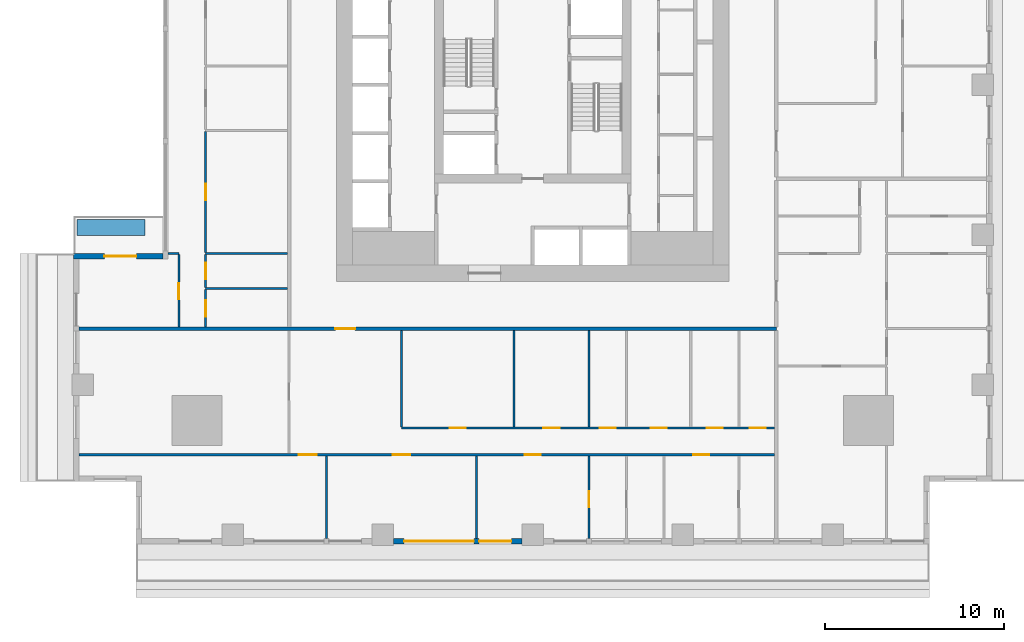
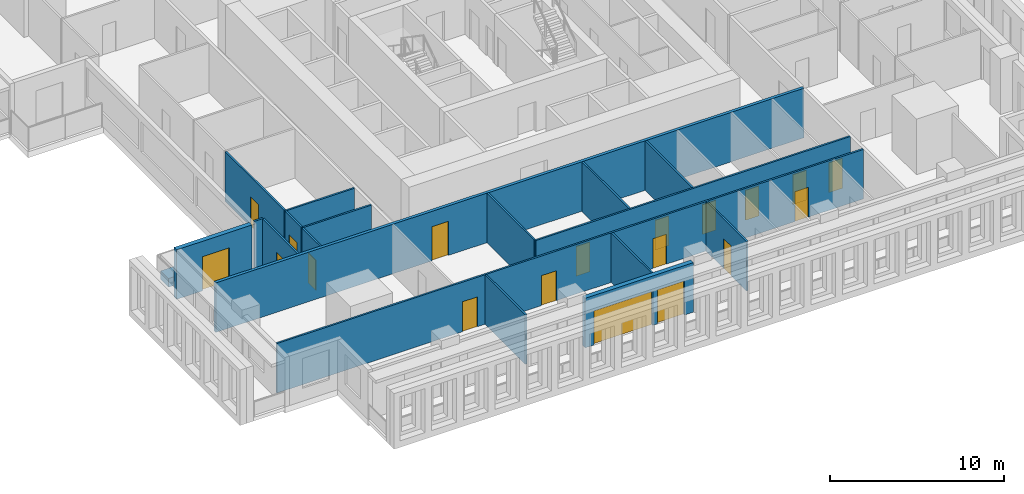
# One storey, part 2 of 14: 19 doors, 19 walls, 19 openings.
"""IFC4 building model written with IfcOpenShell, lengths in metres."""

from ifc_helpers import new_model, si_unit, direction, frame, frame_2d, origin, place, context, subcontext, project, spatial, rectangle, extrude, material, layer, layer_set, type_object, element, fill, save


model = new_model("IFC4")

# Units and contexts
model_context = context("Model", 3, precision=1e-05, world=origin(), true_north=direction((0.0, 1.0)))
body_context = subcontext(model_context, "Body", "Model", "MODEL_VIEW")
ifc_project = project(units=[si_unit("LENGTHUNIT", "METRE"), si_unit("AREAUNIT", "SQUARE_METRE"), si_unit("VOLUMEUNIT", "CUBIC_METRE"), si_unit("PLANEANGLEUNIT", "RADIAN"), si_unit("MASSUNIT", "GRAM", prefix="KILO")], contexts=[model_context])

# Site, building, storey
site_placement = place(None, origin())
site = spatial("IfcSite", under=ifc_project, at=site_placement, CompositionType="ELEMENT")
building_placement = place(site_placement, origin())
building = spatial("IfcBuilding", under=site, at=building_placement, Name="Khepri Terraces", CompositionType="ELEMENT")
storey_placement = place(building_placement, frame((0.0, 0.0, 102.60009765625)))
storey = spatial("IfcBuildingStorey", under=building, at=storey_placement, Name="L24", CompositionType="ELEMENT", Elevation=102.60009765625)

# Wall, opening, door
ifc_material_1 = material(Name="Fire-rated gypsum plasterboard partition, mineral wool")
ifc_layer_1 = layer(ifc_material_1, 0.199951171875, Name="Fire-rated gypsum plasterboard partition, mineral wool")
ifc_layer_set_1 = layer_set([ifc_layer_1], Name="Fire-rated gypsum plasterboard partition, mineral wool")
wall_type_1 = type_object("IfcWallType", Name="WL-CORR-200", PredefinedType="PARTITIONING", material=ifc_layer_set_1)
wall_1_placement = place(storey_placement, frame((-25.419921875, -13.64990234375, 0.0), z_axis=(0.0, 0.0, 1.0), x_axis=(1.0, 0.0, 0.0)))
wall_1 = element("IfcWall", 1, at=wall_1_placement, inside=storey, type_object=wall_type_1, Name="Partition P-021 L24", PredefinedType="PARTITIONING", context=body_context, shape_type="SweptSolid", body=[
    extrude(rectangle(XDim=39.06982421875, YDim=0.199951171875, at=frame_2d((19.534912109375, 0.0))), origin(), (0.0, 0.0, 1.0), 3.47998046875),
])
opening_1_placement = place(wall_1_placement, frame((14.3701171875, 0.0, 0.0)))
opening_1 = element("IfcOpeningElement", 2, at=opening_1_placement, cuts=wall_1, Name="Opening D1", PredefinedType="OPENING", context=body_context, shape_type="SweptSolid", body=[
    extrude(rectangle(XDim=1.10009765625, YDim=2.39990234375, at=frame_2d((0.550048828125, 1.199951171875))), frame((0.0, 0.10986328125, 0.0), z_axis=(0.0, -1.0, 0.0), x_axis=(1.0, 0.0, 0.0)), (0.0, 0.0, 1.0), 0.219970703125),
])
ifc_material_2 = material(Name="Solid-core timber door leaf, flat entrance door", Category="wood")
door_type_1 = type_object("IfcDoorType", Name="DR-ENT-1100", OperationType="NOTDEFINED", PredefinedType="DOOR", material=ifc_material_2)
door_1_placement = place(opening_1_placement, frame((1.10009765625, 0.0, 0.0), z_axis=(0.0, 0.0, 1.0), x_axis=(-1.0, 0.0, 0.0)))
door_1 = element("IfcDoor", 3, at=door_1_placement, inside=storey, type_object=door_type_1, Name="Flat A1 entrance door", OperationType="SINGLE_SWING_RIGHT", OverallHeight=2.39990234375, OverallWidth=1.10009765625, PredefinedType="DOOR", context=body_context, shape_type="SweptSolid", body=[
    extrude(rectangle(XDim=1.10009765625, YDim=2.39990234375, at=frame_2d((0.550048828125, 1.199951171875))), frame((0.0, 0.02490234375, 0.0), z_axis=(0.0, -1.0, 0.0), x_axis=(1.0, 0.0, 0.0)), (0.0, 0.0, 1.0), 0.050048828125),
])
fill(opening_1, door_1)

ifc_material_3 = material(Name="Precast concrete C50/60 warm stone", Category="masonry")
ifc_layer_2 = layer(ifc_material_3, 0.300048828125, Name="Precast concrete C50/60 warm stone", Category="masonry")
ifc_layer_set_2 = layer_set([ifc_layer_2], Name="Precast concrete C50/60 warm stone")
wall_type_2 = type_object("IfcWallType", Name="WL-EXT-PRECAST-300", PredefinedType="STANDARD", material=ifc_layer_set_2)
wall_2_placement = place(storey_placement, frame((-20.719970703125, -9.60009765625, 0.0), z_axis=(0.0, 0.0, 1.0), x_axis=(-1.0, 0.0, 0.0)))
wall_2 = element("IfcWall", 4, at=wall_2_placement, inside=storey, type_object=wall_type_2, Name="External wall L24 N", PredefinedType="STANDARD", context=body_context, shape_type="SweptSolid", body=[
    extrude(rectangle(XDim=5.0, YDim=0.300048828125, at=frame_2d((2.5, 0.0))), origin(), (0.0, 0.0, 1.0), 3.47998046875),
])
opening_2_placement = place(wall_2_placement, frame((1.47998046875, 0.0, 0.0)))
opening_2 = element("IfcOpeningElement", 5, at=opening_2_placement, cuts=wall_2, Name="Opening ED-L24-17", PredefinedType="OPENING", context=body_context, shape_type="SweptSolid", body=[
    extrude(rectangle(XDim=1.800048828125, YDim=2.39990234375, at=frame_2d((0.89990234375, 1.199951171875))), frame((0.0, 0.16015625, 0.0), z_axis=(0.0, -1.0, 0.0), x_axis=(1.0, 0.0, 0.0)), (0.0, 0.0, 1.0), 0.320068359375),
])
ifc_material_4 = material(Name="Anodised aluminium bronze glazed door", Category="aluminium")
door_type_2 = type_object("IfcDoorType", Name="DR-BAL-SLIDE-1800x2400", OperationType="NOTDEFINED", PredefinedType="DOOR", material=ifc_material_4)
door_2_placement = place(opening_2_placement, origin())
door_2 = element("IfcDoor", 6, at=door_2_placement, inside=storey, type_object=door_type_2, Name="Balcony door L24 N", OperationType="SLIDING_TO_RIGHT", OverallHeight=2.39990234375, OverallWidth=1.800048828125, PredefinedType="DOOR", context=body_context, shape_type="SweptSolid", body=[
    extrude(rectangle(XDim=1.800048828125, YDim=2.39990234375, at=frame_2d((0.89990234375, 1.199951171875))), frame((0.0, 0.02490234375, 0.0), z_axis=(0.0, -1.0, 0.0), x_axis=(1.0, 0.0, 0.0)), (0.0, 0.0, 1.0), 0.050048828125),
])
fill(opening_2, door_2)

# Wall, openings, doors
wall_3_placement = place(storey_placement, frame((-7.800048828125, -25.570068359375, 0.0), z_axis=(0.0, 0.0, 1.0), x_axis=(1.0, 0.0, 0.0)))
wall_3 = element("IfcWall", 7, at=wall_3_placement, inside=storey, type_object=wall_type_2, Name="External wall L24 S", PredefinedType="STANDARD", context=body_context, shape_type="SweptSolid", body=[
    extrude(rectangle(XDim=7.199951171875, YDim=0.300048828125, at=frame_2d((3.60009765625, 0.0))), origin(), (0.0, 0.0, 1.0), 3.47998046875),
])
opening_3_placement = place(wall_3_placement, frame((0.60009765625, 0.0, 0.0)))
opening_3 = element("IfcOpeningElement", 8, at=opening_3_placement, cuts=wall_3, Name="Opening ED-L24-22", PredefinedType="OPENING", context=body_context, shape_type="SweptSolid", body=[
    extrude(rectangle(XDim=3.89990234375, YDim=2.39990234375, at=frame_2d((1.949951171875, 1.199951171875))), frame((0.0, 0.16015625, 0.0), z_axis=(0.0, -1.0, 0.0), x_axis=(1.0, 0.0, 0.0)), (0.0, 0.0, 1.0), 0.320068359375),
])
opening_4_placement = place(wall_3_placement, frame((4.800048828125, 0.0, 0.0)))
opening_4 = element("IfcOpeningElement", 9, at=opening_4_placement, cuts=wall_3, Name="Opening ED-L24-23", PredefinedType="OPENING", context=body_context, shape_type="SweptSolid", body=[
    extrude(rectangle(XDim=1.800048828125, YDim=2.39990234375, at=frame_2d((0.89990234375, 1.199951171875))), frame((0.0, 0.16015625, 0.0), z_axis=(0.0, -1.0, 0.0), x_axis=(1.0, 0.0, 0.0)), (0.0, 0.0, 1.0), 0.320068359375),
])
door_3_placement = place(opening_4_placement, origin())
door_3 = element("IfcDoor", 10, at=door_3_placement, inside=storey, type_object=door_type_2, Name="Balcony door L24 S", OperationType="SLIDING_TO_RIGHT", OverallHeight=2.39990234375, OverallWidth=1.800048828125, PredefinedType="DOOR", context=body_context, shape_type="SweptSolid", body=[
    extrude(rectangle(XDim=1.800048828125, YDim=2.39990234375, at=frame_2d((0.89990234375, 1.199951171875))), frame((0.0, 0.02490234375, 0.0), z_axis=(0.0, -1.0, 0.0), x_axis=(1.0, 0.0, 0.0)), (0.0, 0.0, 1.0), 0.050048828125),
])
fill(opening_4, door_3)
door_type_3 = type_object("IfcDoorType", Name="DR-BAL-SLIDE-3900x2400", OperationType="NOTDEFINED", PredefinedType="DOOR", material=ifc_material_4)
door_4_placement = place(opening_3_placement, origin())
door_4 = element("IfcDoor", 11, at=door_4_placement, inside=storey, type_object=door_type_3, Name="Balcony door L24 S", OperationType="SLIDING_TO_LEFT", OverallHeight=2.39990234375, OverallWidth=3.89990234375, PredefinedType="DOOR", context=body_context, shape_type="SweptSolid", body=[
    extrude(rectangle(XDim=3.89990234375, YDim=2.39990234375, at=frame_2d((1.949951171875, 1.199951171875))), frame((0.0, 0.02490234375, 0.0), z_axis=(0.0, -1.0, 0.0), x_axis=(1.0, 0.0, 0.0)), (0.0, 0.0, 1.0), 0.050048828125),
])
fill(opening_3, door_4)

# Walls
ifc_material_5 = material(Name="Gypsum plasterboard partition")
ifc_layer_3 = layer(ifc_material_5, 0.1201171875, Name="Gypsum plasterboard partition")
ifc_layer_set_3 = layer_set([ifc_layer_3], Name="Gypsum plasterboard partition")
wall_type_3 = type_object("IfcWallType", Name="WL-PART-120", PredefinedType="PARTITIONING", material=ifc_layer_set_3)
for number, where, z_axis, x_axis, name in (
    (12, (-11.550048828125, -25.419921875, 0.0), (0.0, 0.0, 1.0), (0.0, 1.0, 0.0), "Partition P-001 L24"),
    (13, (-3.14990234375, -25.419921875, 0.0), (0.0, 0.0, 1.0), (0.0, 1.0, 0.0), "Partition P-002 L24"),
):
    element("IfcWall", number, at=place(storey_placement, frame(where, z_axis=z_axis, x_axis=x_axis)), inside=storey, type_object=wall_type_3, Name=name, PredefinedType="PARTITIONING", context=body_context, shape_type="SweptSolid", body=[
        extrude(rectangle(XDim=4.639892578125, YDim=0.1201171875, at=frame_2d((2.31982421875, 0.0))), origin(), (0.0, 0.0, 1.0), 3.47998046875),
    ])

# Wall, opening, door
wall_4_placement = place(storey_placement, frame((3.14990234375, -25.419921875, 0.0), z_axis=(0.0, 0.0, 1.0), x_axis=(0.0, 1.0, 0.0)))
wall_4 = element("IfcWall", 14, at=wall_4_placement, inside=storey, type_object=wall_type_3, Name="Partition P-003 L24", PredefinedType="PARTITIONING", context=body_context, shape_type="SweptSolid", body=[
    extrude(rectangle(XDim=4.639892578125, YDim=0.1201171875, at=frame_2d((2.31982421875, 0.0))), origin(), (0.0, 0.0, 1.0), 3.47998046875),
])
opening_5_placement = place(wall_4_placement, frame((1.75, 0.0, 0.0)))
opening_5 = element("IfcOpeningElement", 15, at=opening_5_placement, cuts=wall_4, Name="Opening D3", PredefinedType="OPENING", context=body_context, shape_type="SweptSolid", body=[
    extrude(rectangle(XDim=0.89990234375, YDim=2.10009765625, at=frame_2d((0.449951171875, 1.050048828125))), frame((0.0, 0.070068359375, 0.0), z_axis=(0.0, -1.0, 0.0), x_axis=(1.0, 0.0, 0.0)), (0.0, 0.0, 1.0), 0.14013671875),
])
ifc_material_6 = material(Name="Timber door leaf", Category="wood")
door_type_4 = type_object("IfcDoorType", Name="DR-INT-900", OperationType="NOTDEFINED", PredefinedType="DOOR", material=ifc_material_6)
door_5_placement = place(opening_5_placement, frame((0.89990234375, 0.0, 0.0), z_axis=(0.0, 0.0, 1.0), x_axis=(-1.0, 0.0, 0.0)))
door_5 = element("IfcDoor", 16, at=door_5_placement, inside=storey, type_object=door_type_4, Name="Door Dressing Room", OperationType="SINGLE_SWING_RIGHT", OverallHeight=2.10009765625, OverallWidth=0.89990234375, PredefinedType="DOOR", context=body_context, shape_type="SweptSolid", body=[
    extrude(rectangle(XDim=0.89990234375, YDim=2.10009765625, at=frame_2d((0.449951171875, 1.050048828125))), frame((0.0, 0.02490234375, 0.0), z_axis=(0.0, -1.0, 0.0), x_axis=(1.0, 0.0, 0.0)), (0.0, 0.0, 1.0), 0.050048828125),
])
fill(opening_5, door_5)

# Wall, openings, doors
wall_5_placement = place(storey_placement, frame((-25.419921875, -20.719970703125, 0.0), z_axis=(0.0, 0.0, 1.0), x_axis=(1.0, 0.0, 0.0)))
wall_5 = element("IfcWall", 17, at=wall_5_placement, inside=storey, type_object=wall_type_3, Name="Partition P-009 L24", PredefinedType="PARTITIONING", context=body_context, shape_type="SweptSolid", body=[
    extrude(rectangle(XDim=38.969970703125, YDim=0.1201171875, at=frame_2d((19.48486328125, 0.0))), origin(), (0.0, 0.0, 1.0), 3.47998046875),
])
opening_6_placement = place(wall_5_placement, frame((12.320068359375, 0.0, 0.0)))
opening_6 = element("IfcOpeningElement", 18, at=opening_6_placement, cuts=wall_5, Name="Opening D2", PredefinedType="OPENING", context=body_context, shape_type="SweptSolid", body=[
    extrude(rectangle(XDim=1.0, YDim=2.10009765625, at=frame_2d((0.5, 1.050048828125))), frame((0.0, 0.070068359375, 0.0), z_axis=(0.0, -1.0, 0.0), x_axis=(1.0, 0.0, 0.0)), (0.0, 0.0, 1.0), 0.14013671875),
])
opening_7_placement = place(wall_5_placement, frame((17.570068359375, 0.0, 0.0)))
opening_7 = element("IfcOpeningElement", 19, at=opening_7_placement, cuts=wall_5, Name="Opening D2", PredefinedType="OPENING", context=body_context, shape_type="SweptSolid", body=[
    extrude(rectangle(XDim=1.0, YDim=2.10009765625, at=frame_2d((0.5, 1.050048828125))), frame((0.0, 0.070068359375, 0.0), z_axis=(0.0, -1.0, 0.0), x_axis=(1.0, 0.0, 0.0)), (0.0, 0.0, 1.0), 0.14013671875),
])
opening_8_placement = place(wall_5_placement, frame((24.969970703125, 0.0, 0.0)))
opening_8 = element("IfcOpeningElement", 20, at=opening_8_placement, cuts=wall_5, Name="Opening D3", PredefinedType="OPENING", context=body_context, shape_type="SweptSolid", body=[
    extrude(rectangle(XDim=0.89990234375, YDim=2.10009765625, at=frame_2d((0.449951171875, 1.050048828125))), frame((0.0, 0.070068359375, 0.0), z_axis=(0.0, -1.0, 0.0), x_axis=(1.0, 0.0, 0.0)), (0.0, 0.0, 1.0), 0.14013671875),
])
opening_9_placement = place(wall_5_placement, frame((34.419921875, 0.0, 0.0)))
opening_9 = element("IfcOpeningElement", 21, at=opening_9_placement, cuts=wall_5, Name="Opening D3", PredefinedType="OPENING", context=body_context, shape_type="SweptSolid", body=[
    extrude(rectangle(XDim=0.89990234375, YDim=2.10009765625, at=frame_2d((0.449951171875, 1.050048828125))), frame((0.0, 0.070068359375, 0.0), z_axis=(0.0, -1.0, 0.0), x_axis=(1.0, 0.0, 0.0)), (0.0, 0.0, 1.0), 0.14013671875),
])
ifc_material_7 = material(Name="Timber door leaf, living room door", Category="wood")
door_type_5 = type_object("IfcDoorType", Name="DR-INT-1000", OperationType="NOTDEFINED", PredefinedType="DOOR", material=ifc_material_7)
door_6_placement = place(opening_6_placement, frame((1.0, 0.0, 0.0), z_axis=(0.0, 0.0, 1.0), x_axis=(-1.0, 0.0, 0.0)))
door_6 = element("IfcDoor", 22, at=door_6_placement, inside=storey, type_object=door_type_5, Name="Door Sun Lounge", OperationType="SINGLE_SWING_RIGHT", OverallHeight=2.10009765625, OverallWidth=1.0, PredefinedType="DOOR", context=body_context, shape_type="SweptSolid", body=[
    extrude(rectangle(XDim=1.0, YDim=2.10009765625, at=frame_2d((0.5, 1.050048828125))), frame((0.0, 0.02490234375, 0.0), z_axis=(0.0, -1.0, 0.0), x_axis=(1.0, 0.0, 0.0)), (0.0, 0.0, 1.0), 0.050048828125),
])
fill(opening_6, door_6)
door_7_placement = place(opening_7_placement, frame((1.0, 0.0, 0.0), z_axis=(0.0, 0.0, 1.0), x_axis=(-1.0, 0.0, 0.0)))
door_7 = element("IfcDoor", 23, at=door_7_placement, inside=storey, type_object=door_type_5, Name="Door Living Room", OperationType="SINGLE_SWING_RIGHT", OverallHeight=2.10009765625, OverallWidth=1.0, PredefinedType="DOOR", context=body_context, shape_type="SweptSolid", body=[
    extrude(rectangle(XDim=1.0, YDim=2.10009765625, at=frame_2d((0.5, 1.050048828125))), frame((0.0, 0.02490234375, 0.0), z_axis=(0.0, -1.0, 0.0), x_axis=(1.0, 0.0, 0.0)), (0.0, 0.0, 1.0), 0.050048828125),
])
fill(opening_7, door_7)
door_8_placement = place(opening_8_placement, frame((0.89990234375, 0.0, 0.0), z_axis=(0.0, 0.0, 1.0), x_axis=(-1.0, 0.0, 0.0)))
door_8 = element("IfcDoor", 24, at=door_8_placement, inside=storey, type_object=door_type_4, Name="Door Master Bedroom", OperationType="SINGLE_SWING_LEFT", OverallHeight=2.10009765625, OverallWidth=0.89990234375, PredefinedType="DOOR", context=body_context, shape_type="SweptSolid", body=[
    extrude(rectangle(XDim=0.89990234375, YDim=2.10009765625, at=frame_2d((0.449951171875, 1.050048828125))), frame((0.0, 0.02490234375, 0.0), z_axis=(0.0, -1.0, 0.0), x_axis=(1.0, 0.0, 0.0)), (0.0, 0.0, 1.0), 0.050048828125),
])
fill(opening_8, door_8)
door_9_placement = place(opening_9_placement, frame((0.89990234375, 0.0, 0.0), z_axis=(0.0, 0.0, 1.0), x_axis=(-1.0, 0.0, 0.0)))
door_9 = element("IfcDoor", 25, at=door_9_placement, inside=storey, type_object=door_type_4, Name="Door Bedroom", OperationType="SINGLE_SWING_LEFT", OverallHeight=2.10009765625, OverallWidth=0.89990234375, PredefinedType="DOOR", context=body_context, shape_type="SweptSolid", body=[
    extrude(rectangle(XDim=0.89990234375, YDim=2.10009765625, at=frame_2d((0.449951171875, 1.050048828125))), frame((0.0, 0.02490234375, 0.0), z_axis=(0.0, -1.0, 0.0), x_axis=(1.0, 0.0, 0.0)), (0.0, 0.0, 1.0), 0.050048828125),
])
fill(opening_9, door_9)

wall_6_placement = place(storey_placement, frame((-7.35009765625, -19.219970703125, 0.0), z_axis=(0.0, 0.0, 1.0), x_axis=(1.0, 0.0, 0.0)))
wall_6 = element("IfcWall", 26, at=wall_6_placement, inside=storey, type_object=wall_type_3, Name="Partition P-011 L24", PredefinedType="PARTITIONING", context=body_context, shape_type="SweptSolid", body=[
    extrude(rectangle(XDim=20.900146484375, YDim=0.1201171875, at=frame_2d((10.4501953125, 0.0))), origin(), (0.0, 0.0, 1.0), 3.47998046875),
])
opening_10_placement = place(wall_6_placement, frame((2.699951171875, 0.0, 0.0)))
opening_10 = element("IfcOpeningElement", 27, at=opening_10_placement, cuts=wall_6, Name="Opening D3", PredefinedType="OPENING", context=body_context, shape_type="SweptSolid", body=[
    extrude(rectangle(XDim=0.89990234375, YDim=2.10009765625, at=frame_2d((0.449951171875, 1.050048828125))), frame((0.0, 0.070068359375, 0.0), z_axis=(0.0, -1.0, 0.0), x_axis=(1.0, 0.0, 0.0)), (0.0, 0.0, 1.0), 0.14013671875),
])
opening_11_placement = place(wall_6_placement, frame((7.949951171875, 0.0, 0.0)))
opening_11 = element("IfcOpeningElement", 28, at=opening_11_placement, cuts=wall_6, Name="Opening D3", PredefinedType="OPENING", context=body_context, shape_type="SweptSolid", body=[
    extrude(rectangle(XDim=0.89990234375, YDim=2.10009765625, at=frame_2d((0.449951171875, 1.050048828125))), frame((0.0, 0.070068359375, 0.0), z_axis=(0.0, -1.0, 0.0), x_axis=(1.0, 0.0, 0.0)), (0.0, 0.0, 1.0), 0.14013671875),
])
opening_12_placement = place(wall_6_placement, frame((11.10009765625, 0.0, 0.0)))
opening_12 = element("IfcOpeningElement", 29, at=opening_12_placement, cuts=wall_6, Name="Opening D4", PredefinedType="OPENING", context=body_context, shape_type="SweptSolid", body=[
    extrude(rectangle(XDim=0.89990234375, YDim=2.10009765625, at=frame_2d((0.449951171875, 1.050048828125))), frame((0.0, 0.070068359375, 0.0), z_axis=(0.0, -1.0, 0.0), x_axis=(1.0, 0.0, 0.0)), (0.0, 0.0, 1.0), 0.14013671875),
])
opening_13_placement = place(wall_6_placement, frame((13.949951171875, 0.0, 0.0)))
opening_13 = element("IfcOpeningElement", 30, at=opening_13_placement, cuts=wall_6, Name="Opening D3", PredefinedType="OPENING", context=body_context, shape_type="SweptSolid", body=[
    extrude(rectangle(XDim=0.89990234375, YDim=2.10009765625, at=frame_2d((0.449951171875, 1.050048828125))), frame((0.0, 0.070068359375, 0.0), z_axis=(0.0, -1.0, 0.0), x_axis=(1.0, 0.0, 0.0)), (0.0, 0.0, 1.0), 0.14013671875),
])
opening_14_placement = place(wall_6_placement, frame((17.10009765625, 0.0, 0.0)))
opening_14 = element("IfcOpeningElement", 31, at=opening_14_placement, cuts=wall_6, Name="Opening D4", PredefinedType="OPENING", context=body_context, shape_type="SweptSolid", body=[
    extrude(rectangle(XDim=0.89990234375, YDim=2.10009765625, at=frame_2d((0.449951171875, 1.050048828125))), frame((0.0, 0.070068359375, 0.0), z_axis=(0.0, -1.0, 0.0), x_axis=(1.0, 0.0, 0.0)), (0.0, 0.0, 1.0), 0.14013671875),
])
opening_15_placement = place(wall_6_placement, frame((19.5, 0.0, 0.0)))
opening_15 = element("IfcOpeningElement", 32, at=opening_15_placement, cuts=wall_6, Name="Opening D3", PredefinedType="OPENING", context=body_context, shape_type="SweptSolid", body=[
    extrude(rectangle(XDim=0.89990234375, YDim=2.10009765625, at=frame_2d((0.449951171875, 1.050048828125))), frame((0.0, 0.070068359375, 0.0), z_axis=(0.0, -1.0, 0.0), x_axis=(1.0, 0.0, 0.0)), (0.0, 0.0, 1.0), 0.14013671875),
])
door_10_placement = place(opening_10_placement, origin())
door_10 = element("IfcDoor", 33, at=door_10_placement, inside=storey, type_object=door_type_4, Name="Door Kitchen", OperationType="SINGLE_SWING_LEFT", OverallHeight=2.10009765625, OverallWidth=0.89990234375, PredefinedType="DOOR", context=body_context, shape_type="SweptSolid", body=[
    extrude(rectangle(XDim=0.89990234375, YDim=2.10009765625, at=frame_2d((0.449951171875, 1.050048828125))), frame((0.0, 0.02490234375, 0.0), z_axis=(0.0, -1.0, 0.0), x_axis=(1.0, 0.0, 0.0)), (0.0, 0.0, 1.0), 0.050048828125),
])
fill(opening_10, door_10)
door_11_placement = place(opening_11_placement, origin())
door_11 = element("IfcDoor", 34, at=door_11_placement, inside=storey, type_object=door_type_4, Name="Door Utility Room", OperationType="SINGLE_SWING_LEFT", OverallHeight=2.10009765625, OverallWidth=0.89990234375, PredefinedType="DOOR", context=body_context, shape_type="SweptSolid", body=[
    extrude(rectangle(XDim=0.89990234375, YDim=2.10009765625, at=frame_2d((0.449951171875, 1.050048828125))), frame((0.0, 0.02490234375, 0.0), z_axis=(0.0, -1.0, 0.0), x_axis=(1.0, 0.0, 0.0)), (0.0, 0.0, 1.0), 0.050048828125),
])
fill(opening_11, door_11)
door_12_placement = place(opening_13_placement, origin())
door_12 = element("IfcDoor", 35, at=door_12_placement, inside=storey, type_object=door_type_4, Name="Door Staff Bedroom", OperationType="SINGLE_SWING_RIGHT", OverallHeight=2.10009765625, OverallWidth=0.89990234375, PredefinedType="DOOR", context=body_context, shape_type="SweptSolid", body=[
    extrude(rectangle(XDim=0.89990234375, YDim=2.10009765625, at=frame_2d((0.449951171875, 1.050048828125))), frame((0.0, 0.02490234375, 0.0), z_axis=(0.0, -1.0, 0.0), x_axis=(1.0, 0.0, 0.0)), (0.0, 0.0, 1.0), 0.050048828125),
])
fill(opening_13, door_12)
door_13_placement = place(opening_15_placement, origin())
door_13 = element("IfcDoor", 36, at=door_13_placement, inside=storey, type_object=door_type_4, Name="Door Utility Room", OperationType="SINGLE_SWING_RIGHT", OverallHeight=2.10009765625, OverallWidth=0.89990234375, PredefinedType="DOOR", context=body_context, shape_type="SweptSolid", body=[
    extrude(rectangle(XDim=0.89990234375, YDim=2.10009765625, at=frame_2d((0.449951171875, 1.050048828125))), frame((0.0, 0.02490234375, 0.0), z_axis=(0.0, -1.0, 0.0), x_axis=(1.0, 0.0, 0.0)), (0.0, 0.0, 1.0), 0.050048828125),
])
fill(opening_15, door_13)
ifc_material_8 = material(Name="Timber door leaf, moisture resistant", Category="wood")
door_type_6 = type_object("IfcDoorType", Name="DR-WET-900", OperationType="NOTDEFINED", PredefinedType="DOOR", material=ifc_material_8)
door_14_placement = place(opening_12_placement, origin())
door_14 = element("IfcDoor", 37, at=door_14_placement, inside=storey, type_object=door_type_6, Name="Door Powder Room", OperationType="SINGLE_SWING_RIGHT", OverallHeight=2.10009765625, OverallWidth=0.89990234375, PredefinedType="DOOR", context=body_context, shape_type="SweptSolid", body=[
    extrude(rectangle(XDim=0.89990234375, YDim=2.10009765625, at=frame_2d((0.449951171875, 1.050048828125))), frame((0.0, 0.02490234375, 0.0), z_axis=(0.0, -1.0, 0.0), x_axis=(1.0, 0.0, 0.0)), (0.0, 0.0, 1.0), 0.050048828125),
])
fill(opening_12, door_14)
door_15_placement = place(opening_14_placement, origin())
door_15 = element("IfcDoor", 38, at=door_15_placement, inside=storey, type_object=door_type_6, Name="Door Guest Bathroom", OperationType="SINGLE_SWING_RIGHT", OverallHeight=2.10009765625, OverallWidth=0.89990234375, PredefinedType="DOOR", context=body_context, shape_type="SweptSolid", body=[
    extrude(rectangle(XDim=0.89990234375, YDim=2.10009765625, at=frame_2d((0.449951171875, 1.050048828125))), frame((0.0, 0.02490234375, 0.0), z_axis=(0.0, -1.0, 0.0), x_axis=(1.0, 0.0, 0.0)), (0.0, 0.0, 1.0), 0.050048828125),
])
fill(opening_14, door_15)

# Walls
for number, where, z_axis, x_axis, name in (
    (39, (-7.35009765625, -19.159912109375, 0.0), (0.0, 0.0, 1.0), (0.0, 1.0, 0.0), "Partition P-012 L24"),
    (40, (-1.050048828125, -19.159912109375, 0.0), (0.0, 0.0, 1.0), (0.0, 1.0, 0.0), "Partition P-013 L24"),
    (41, (3.14990234375, -19.159912109375, 0.0), (0.0, 0.0, 1.0), (0.0, 1.0, 0.0), "Partition P-014 L24"),
):
    element("IfcWall", number, at=place(storey_placement, frame(where, z_axis=z_axis, x_axis=x_axis)), inside=storey, type_object=wall_type_3, Name=name, PredefinedType="PARTITIONING", context=body_context, shape_type="SweptSolid", body=[
        extrude(rectangle(XDim=5.409912109375, YDim=0.1201171875, at=frame_2d((2.705078125, 0.0))), origin(), (0.0, 0.0, 1.0), 3.47998046875),
    ])

# Wall, opening, door
wall_7_placement = place(storey_placement, frame((-19.820068359375, -13.550048828125, 0.0), z_axis=(0.0, 0.0, 1.0), x_axis=(0.0, 1.0, 0.0)))
wall_7 = element("IfcWall", 42, at=wall_7_placement, inside=storey, type_object=wall_type_3, Name="Partition P-024 L24", PredefinedType="PARTITIONING", context=body_context, shape_type="SweptSolid", body=[
    extrude(rectangle(XDim=4.0400390625, YDim=0.1201171875, at=frame_2d((2.02001953125, 0.0))), origin(), (0.0, 0.0, 1.0), 3.47998046875),
])
opening_16_placement = place(wall_7_placement, frame((1.550048828125, 0.0, 0.0)))
opening_16 = element("IfcOpeningElement", 43, at=opening_16_placement, cuts=wall_7, Name="Opening D3", PredefinedType="OPENING", context=body_context, shape_type="SweptSolid", body=[
    extrude(rectangle(XDim=0.89990234375, YDim=2.10009765625, at=frame_2d((0.449951171875, 1.050048828125))), frame((0.0, 0.070068359375, 0.0), z_axis=(0.0, -1.0, 0.0), x_axis=(1.0, 0.0, 0.0)), (0.0, 0.0, 1.0), 0.14013671875),
])
door_16_placement = place(opening_16_placement, origin())
door_16 = element("IfcDoor", 44, at=door_16_placement, inside=storey, type_object=door_type_4, Name="Door Study", OperationType="SINGLE_SWING_LEFT", OverallHeight=2.10009765625, OverallWidth=0.89990234375, PredefinedType="DOOR", context=body_context, shape_type="SweptSolid", body=[
    extrude(rectangle(XDim=0.89990234375, YDim=2.10009765625, at=frame_2d((0.449951171875, 1.050048828125))), frame((0.0, 0.02490234375, 0.0), z_axis=(0.0, -1.0, 0.0), x_axis=(1.0, 0.0, 0.0)), (0.0, 0.0, 1.0), 0.050048828125),
])
fill(opening_16, door_16)

wall_8_placement = place(storey_placement, frame((-18.320068359375, -13.550048828125, 0.0), z_axis=(0.0, 0.0, 1.0), x_axis=(0.0, 1.0, 0.0)))
wall_8 = element("IfcWall", 45, at=wall_8_placement, inside=storey, type_object=wall_type_3, Name="Partition P-025 L24", PredefinedType="PARTITIONING", context=body_context, shape_type="SweptSolid", body=[
    extrude(rectangle(XDim=2.090087890625, YDim=0.1201171875, at=frame_2d((1.044921875, 0.0))), origin(), (0.0, 0.0, 1.0), 3.47998046875),
])
opening_17_placement = place(wall_8_placement, frame((0.574951171875, 0.0, 0.0)))
opening_17 = element("IfcOpeningElement", 46, at=opening_17_placement, cuts=wall_8, Name="Opening D4", PredefinedType="OPENING", context=body_context, shape_type="SweptSolid", body=[
    extrude(rectangle(XDim=0.89990234375, YDim=2.10009765625, at=frame_2d((0.449951171875, 1.050048828125))), frame((0.0, 0.070068359375, 0.0), z_axis=(0.0, -1.0, 0.0), x_axis=(1.0, 0.0, 0.0)), (0.0, 0.0, 1.0), 0.14013671875),
])
door_17_placement = place(opening_17_placement, frame((0.89990234375, 0.0, 0.0), z_axis=(0.0, 0.0, 1.0), x_axis=(-1.0, 0.0, 0.0)))
door_17 = element("IfcDoor", 47, at=door_17_placement, inside=storey, type_object=door_type_6, Name="Door Guest Bathroom", OperationType="SINGLE_SWING_RIGHT", OverallHeight=2.10009765625, OverallWidth=0.89990234375, PredefinedType="DOOR", context=body_context, shape_type="SweptSolid", body=[
    extrude(rectangle(XDim=0.89990234375, YDim=2.10009765625, at=frame_2d((0.449951171875, 1.050048828125))), frame((0.0, 0.02490234375, 0.0), z_axis=(0.0, -1.0, 0.0), x_axis=(1.0, 0.0, 0.0)), (0.0, 0.0, 1.0), 0.050048828125),
])
fill(opening_17, door_17)

# Wall
wall_9_placement = place(storey_placement, frame((-18.320068359375, -11.39990234375, 0.0), z_axis=(0.0, 0.0, 1.0), x_axis=(1.0, 0.0, 0.0)))
element("IfcWall", 48, at=wall_9_placement, inside=storey, type_object=wall_type_3, Name="Partition P-028 L24", PredefinedType="PARTITIONING", context=body_context, shape_type="SweptSolid", body=[
    extrude(rectangle(XDim=4.570068359375, YDim=0.1201171875, at=frame_2d((2.28515625, 0.0))), origin(), (0.0, 0.0, 1.0), 3.47998046875),
])

# Wall, opening, door
wall_10_placement = place(storey_placement, frame((-18.320068359375, -11.340087890625, 0.0), z_axis=(0.0, 0.0, 1.0), x_axis=(0.0, 1.0, 0.0)))
wall_10 = element("IfcWall", 49, at=wall_10_placement, inside=storey, type_object=wall_type_3, Name="Partition P-029 L24", PredefinedType="PARTITIONING", context=body_context, shape_type="SweptSolid", body=[
    extrude(rectangle(XDim=1.830078125, YDim=0.1201171875, at=frame_2d((0.9150390625, 0.0))), origin(), (0.0, 0.0, 1.0), 3.47998046875),
])
opening_18_placement = place(wall_10_placement, frame((0.465087890625, 0.0, 0.0)))
opening_18 = element("IfcOpeningElement", 50, at=opening_18_placement, cuts=wall_10, Name="Opening D4", PredefinedType="OPENING", context=body_context, shape_type="SweptSolid", body=[
    extrude(rectangle(XDim=0.89990234375, YDim=2.10009765625, at=frame_2d((0.449951171875, 1.050048828125))), frame((0.0, 0.070068359375, 0.0), z_axis=(0.0, -1.0, 0.0), x_axis=(1.0, 0.0, 0.0)), (0.0, 0.0, 1.0), 0.14013671875),
])
door_18_placement = place(opening_18_placement, frame((0.89990234375, 0.0, 0.0), z_axis=(0.0, 0.0, 1.0), x_axis=(-1.0, 0.0, 0.0)))
door_18 = element("IfcDoor", 51, at=door_18_placement, inside=storey, type_object=door_type_6, Name="Door Powder Room", OperationType="SINGLE_SWING_RIGHT", OverallHeight=2.10009765625, OverallWidth=0.89990234375, PredefinedType="DOOR", context=body_context, shape_type="SweptSolid", body=[
    extrude(rectangle(XDim=0.89990234375, YDim=2.10009765625, at=frame_2d((0.449951171875, 1.050048828125))), frame((0.0, 0.02490234375, 0.0), z_axis=(0.0, -1.0, 0.0), x_axis=(1.0, 0.0, 0.0)), (0.0, 0.0, 1.0), 0.050048828125),
])
fill(opening_18, door_18)

# Walls
wall_11_placement = place(storey_placement, frame((-20.419921875, -9.449951171875, 0.0), z_axis=(0.0, 0.0, 1.0), x_axis=(1.0, 0.0, 0.0)))
element("IfcWall", 52, at=wall_11_placement, inside=storey, type_object=wall_type_3, Name="Partition P-030 L24", PredefinedType="PARTITIONING", context=body_context, shape_type="SweptSolid", body=[
    extrude(rectangle(XDim=0.599853515625, YDim=0.1201171875, at=frame_2d((0.2998046875, 0.0))), origin(), (0.0, 0.0, 1.0), 3.47998046875),
])
wall_12_placement = place(storey_placement, frame((-18.320068359375, -9.449951171875, 0.0), z_axis=(0.0, 0.0, 1.0), x_axis=(1.0, 0.0, 0.0)))
element("IfcWall", 53, at=wall_12_placement, inside=storey, type_object=wall_type_3, Name="Partition P-031 L24", PredefinedType="PARTITIONING", context=body_context, shape_type="SweptSolid", body=[
    extrude(rectangle(XDim=4.570068359375, YDim=0.1201171875, at=frame_2d((2.28515625, 0.0))), origin(), (0.0, 0.0, 1.0), 3.47998046875),
])

# Wall, opening, door
wall_13_placement = place(storey_placement, frame((-18.320068359375, -9.389892578125, 0.0), z_axis=(0.0, 0.0, 1.0), x_axis=(0.0, 1.0, 0.0)))
wall_13 = element("IfcWall", 54, at=wall_13_placement, inside=storey, type_object=wall_type_3, Name="Partition P-034 L24", PredefinedType="PARTITIONING", context=body_context, shape_type="SweptSolid", body=[
    extrude(rectangle(XDim=6.77978515625, YDim=0.1201171875, at=frame_2d((3.389892578125, 0.0))), origin(), (0.0, 0.0, 1.0), 3.47998046875),
])
opening_19_placement = place(wall_13_placement, frame((2.93994140625, 0.0, 0.0)))
opening_19 = element("IfcOpeningElement", 55, at=opening_19_placement, cuts=wall_13, Name="Opening D3", PredefinedType="OPENING", context=body_context, shape_type="SweptSolid", body=[
    extrude(rectangle(XDim=0.89990234375, YDim=2.10009765625, at=frame_2d((0.449951171875, 1.050048828125))), frame((0.0, 0.070068359375, 0.0), z_axis=(0.0, -1.0, 0.0), x_axis=(1.0, 0.0, 0.0)), (0.0, 0.0, 1.0), 0.14013671875),
])
door_19_placement = place(opening_19_placement, frame((0.89990234375, 0.0, 0.0), z_axis=(0.0, 0.0, 1.0), x_axis=(-1.0, 0.0, 0.0)))
door_19 = element("IfcDoor", 56, at=door_19_placement, inside=storey, type_object=door_type_4, Name="Door Staff Bedroom", OperationType="SINGLE_SWING_LEFT", OverallHeight=2.10009765625, OverallWidth=0.89990234375, PredefinedType="DOOR", context=body_context, shape_type="SweptSolid", body=[
    extrude(rectangle(XDim=0.89990234375, YDim=2.10009765625, at=frame_2d((0.449951171875, 1.050048828125))), frame((0.0, 0.02490234375, 0.0), z_axis=(0.0, -1.0, 0.0), x_axis=(1.0, 0.0, 0.0)), (0.0, 0.0, 1.0), 0.050048828125),
])
fill(opening_19, door_19)

# Wall
ifc_layer_4 = layer(ifc_material_3, 0.89990234375, Name="Precast concrete C50/60 warm stone", Category="masonry")
ifc_layer_set_4 = layer_set([ifc_layer_4], Name="Precast concrete C50/60 warm stone")
wall_type_4 = type_object("IfcWallType", Name="WL-PLANTER-900", PredefinedType="MOVABLE", material=ifc_layer_set_4)
wall_14_placement = place(storey_placement, frame((-25.52001953125, -8.0, 0.0), z_axis=(0.0, 0.0, 1.0), x_axis=(1.0, 0.0, 0.0)))
element("IfcWall", 57, at=wall_14_placement, inside=storey, type_object=wall_type_4, Name="Planter L24", PredefinedType="MOVABLE", context=body_context, shape_type="SweptSolid", body=[
    extrude(rectangle(XDim=3.800048828125, YDim=0.89990234375, at=frame_2d((1.89990234375, 0.0))), origin(), (0.0, 0.0, 1.0), 0.599853515625),
])

save(model, "model.ifc")
